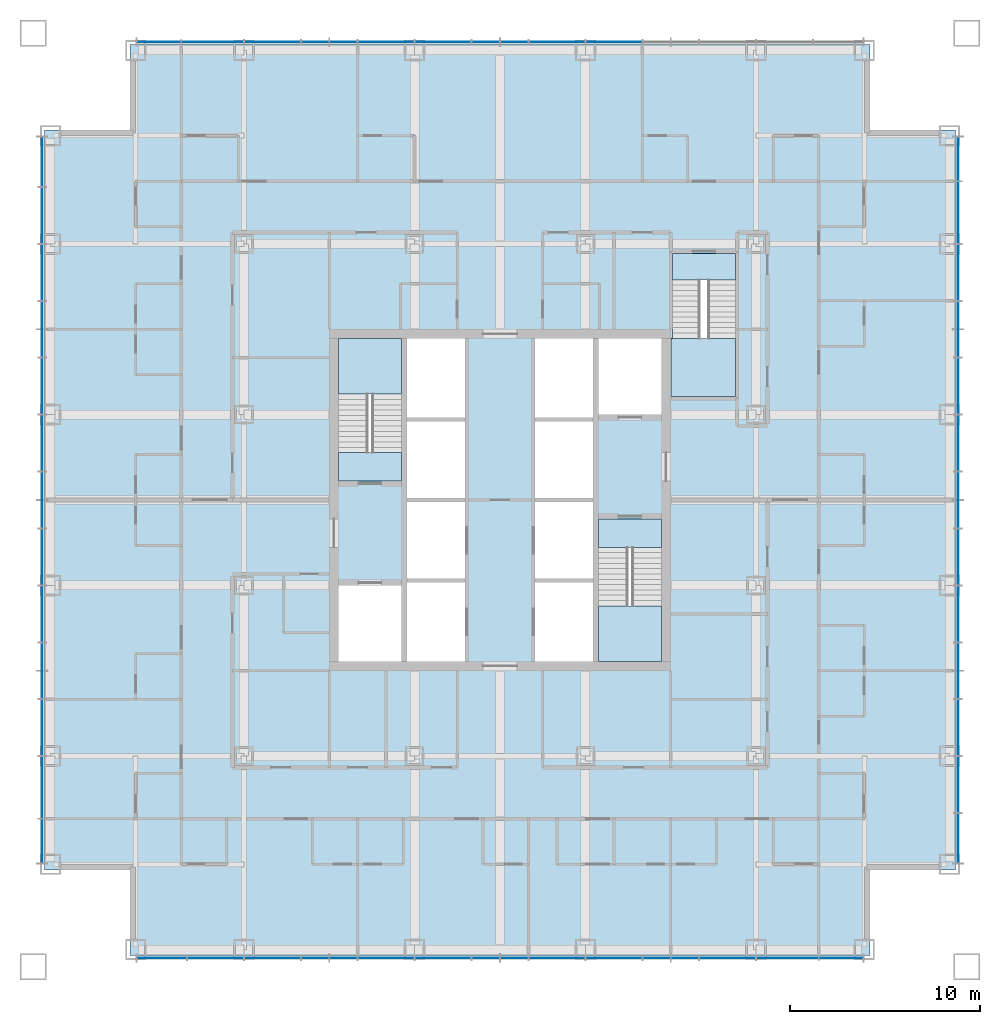
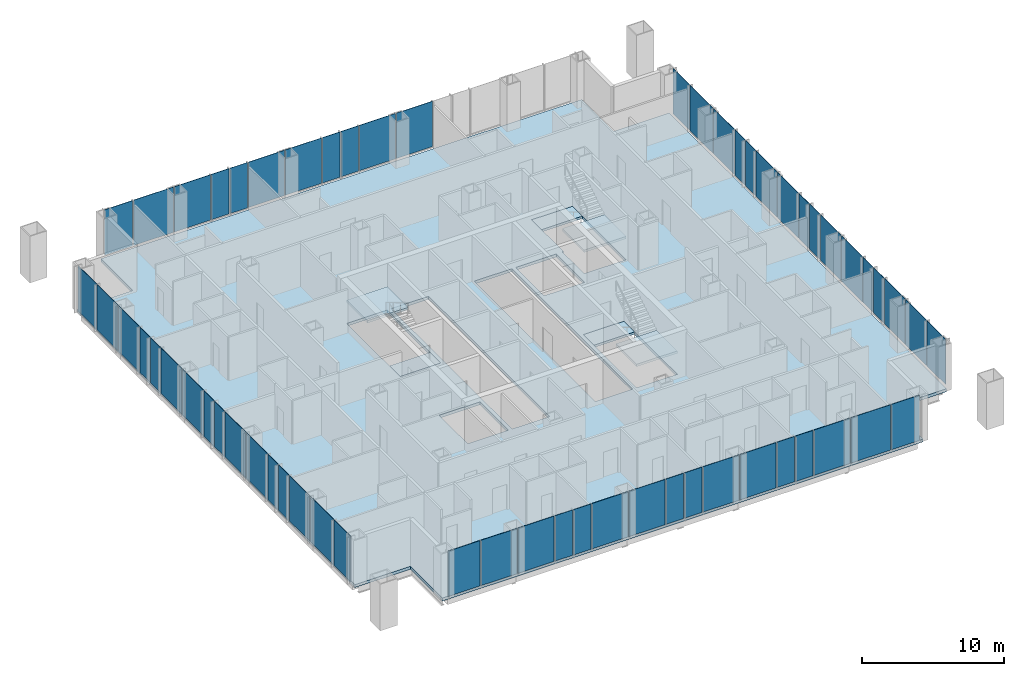
# One storey, part 6 of 12: 59 plates, 7 slabs, 7 elements without a shape of their own.
"""IFC4 building model written with IfcOpenShell, lengths in metres."""

from ifc_helpers import new_model, si_unit, direction, frame, origin, origin_2d, place, context, subcontext, project, spatial, polyline, rectangle, outline, extrude, material, layer, layer_set, type_object, element, aggregate, save


model = new_model("IFC4")

# Units and contexts
model_context = context("Model", 3, precision=1e-05, world=origin(), true_north=direction((0.0, 1.0)))
body_context = subcontext(model_context, "Body", "Model", "MODEL_VIEW")
ifc_project = project(units=[si_unit("LENGTHUNIT", "METRE"), si_unit("AREAUNIT", "SQUARE_METRE"), si_unit("VOLUMEUNIT", "CUBIC_METRE"), si_unit("PLANEANGLEUNIT", "RADIAN"), si_unit("MASSUNIT", "GRAM", prefix="KILO")], contexts=[model_context])

# Site, building, storey
site_placement = place(None, origin())
site = spatial("IfcSite", under=ifc_project, at=site_placement, CompositionType="ELEMENT")
building_placement = place(site_placement, origin())
building = spatial("IfcBuilding", under=site, at=building_placement, Name="Malebo Sky Hospital", CompositionType="ELEMENT")
storey_placement = place(building_placement, frame((0.0, 0.0, 136.0)))
storey = spatial("IfcBuildingStorey", under=building, at=storey_placement, Name="L32", CompositionType="ELEMENT", Elevation=136.0)

# Slab
ifc_material_1 = material(Name="Concrete C40/50", Category="concrete")
ifc_layer_1 = layer(ifc_material_1, 0.25)
ifc_layer_set_1 = layer_set([ifc_layer_1], Name="COMPOSITE FLOOR SLAB 250")
slab_type_1 = type_object("IfcSlabType", Name="COMPOSITE FLOOR SLAB 250", PredefinedType="FLOOR", material=ifc_layer_set_1)
slab_1_placement = place(storey_placement, frame((0.0, 0.0, -0.25)))
element("IfcSlab", 1, at=slab_1_placement, inside=storey, type_object=slab_type_1, Name="Floor slab L32", PredefinedType="FLOOR", context=body_context, shape_type="SweptSolid", body=[
    extrude(outline(polyline([(40.5, 86.0), (40.5, 81.5), (36.0, 81.5), (36.0, 42.5), (40.5, 42.5), (40.5, 38.0), (79.5, 38.0), (79.5, 42.5), (84.0, 42.5), (84.0, 81.5), (79.5, 81.5), (79.5, 86.0), (40.5, 86.0)]), holes=[polyline([(55.10009765625, 70.5), (58.14990234375, 70.5), (58.14990234375, 53.5), (55.10009765625, 53.5), (55.10009765625, 70.5)]), polyline([(64.89990234375, 70.5), (64.89990234375, 53.5), (61.85009765625, 53.5), (61.85009765625, 70.5), (64.89990234375, 70.5)]), polyline([(54.800048828125, 63.0), (51.5, 63.0), (51.5, 70.5), (54.800048828125, 70.5), (54.800048828125, 63.0)]), polyline([(51.5, 53.5), (51.5, 57.5), (54.800048828125, 57.5), (54.800048828125, 53.5), (51.5, 53.5)]), polyline([(65.199951171875, 61.0), (68.5, 61.0), (68.5, 53.5), (65.199951171875, 53.5), (65.199951171875, 61.0)]), polyline([(68.5, 70.5), (68.5, 66.5), (65.199951171875, 66.5), (65.199951171875, 70.5), (68.5, 70.5)]), polyline([(69.0, 67.449951171875), (69.0, 70.52001953125), (69.10009765625, 70.52001953125), (69.10009765625, 75.0), (72.39990234375, 75.0), (72.39990234375, 67.449951171875), (69.10009765625, 67.449951171875), (69.0, 67.449951171875)])]), origin(), (0.0, 0.0, 1.0), 0.25),
])

# Stair, slabs
stair_type_1 = type_object("IfcStairType", Name="HALF-TURN STAIR 1500 R167", PredefinedType="HALF_TURN_STAIR", material=ifc_material_1)
stair_1_placement = place(storey_placement, origin())
stair_1 = element("IfcStair", 2, at=stair_1_placement, inside=storey, type_object=stair_type_1, Name="Stair S1 L32 type ST1", PredefinedType="HALF_TURN_STAIR")
ifc_layer_2 = layer(ifc_material_1, 0.199951171875)
ifc_layer_set_2 = layer_set([ifc_layer_2], Name="STAIR LANDING 200")
slab_type_2 = type_object("IfcSlabType", Name="STAIR LANDING 200", PredefinedType="LANDING", material=ifc_layer_set_2)
slab_2_placement = place(storey_placement, frame((0.0, 0.0, -0.199951171875)))
slab_2 = element("IfcSlab", 3, at=slab_2_placement, type_object=slab_type_2, Name="S1 landing 1", PredefinedType="LANDING", context=body_context, shape_type="SweptSolid", body=[
    extrude(outline(polyline([(51.5, 63.0), (54.800048828125, 63.0), (54.800048828125, 64.5), (51.5, 64.5), (51.5, 63.0)])), origin(), (0.0, 0.0, 1.0), 0.199951171875),
])
slab_3_placement = place(storey_placement, frame((0.0, 0.0, 1.800048828125)))
slab_3 = element("IfcSlab", 4, at=slab_3_placement, type_object=slab_type_2, Name="S1 landing 2", PredefinedType="LANDING", context=body_context, shape_type="SweptSolid", body=[
    extrude(outline(polyline([(51.5, 67.580078125), (54.800048828125, 67.580078125), (54.800048828125, 70.5), (51.5, 70.5), (51.5, 67.580078125)])), origin(), (0.0, 0.0, 1.0), 0.199951171875),
])
aggregate(stair_1, [slab_2, slab_3])

stair_2_placement = place(storey_placement, origin())
stair_2 = element("IfcStair", 5, at=stair_2_placement, inside=storey, type_object=stair_type_1, Name="Stair S2 L32 type ST1", PredefinedType="HALF_TURN_STAIR")
slab_4_placement = place(storey_placement, frame((0.0, 0.0, -0.199951171875)))
slab_4 = element("IfcSlab", 6, at=slab_4_placement, type_object=slab_type_2, Name="S2 landing 1", PredefinedType="LANDING", context=body_context, shape_type="SweptSolid", body=[
    extrude(outline(polyline([(65.199951171875, 59.5), (68.5, 59.5), (68.5, 61.0), (65.199951171875, 61.0), (65.199951171875, 59.5)])), origin(), (0.0, 0.0, 1.0), 0.199951171875),
])
slab_5_placement = place(storey_placement, frame((0.0, 0.0, 1.800048828125)))
slab_5 = element("IfcSlab", 7, at=slab_5_placement, type_object=slab_type_2, Name="S2 landing 2", PredefinedType="LANDING", context=body_context, shape_type="SweptSolid", body=[
    extrude(outline(polyline([(65.199951171875, 53.5), (68.5, 53.5), (68.5, 56.419921875), (65.199951171875, 56.419921875), (65.199951171875, 53.5)])), origin(), (0.0, 0.0, 1.0), 0.199951171875),
])
aggregate(stair_2, [slab_4, slab_5])

stair_type_2 = type_object("IfcStairType", Name="HALF-TURN STAIR 1400 R167", PredefinedType="HALF_TURN_STAIR", material=ifc_material_1)
stair_3_placement = place(storey_placement, origin())
stair_3 = element("IfcStair", 8, at=stair_3_placement, inside=storey, type_object=stair_type_2, Name="Stair S3 L32 type ST1B", PredefinedType="HALF_TURN_STAIR")
slab_6_placement = place(storey_placement, frame((0.0, 0.0, -0.199951171875)))
slab_6 = element("IfcSlab", 9, at=slab_6_placement, type_object=slab_type_2, Name="S3 landing 1", PredefinedType="LANDING", context=body_context, shape_type="SweptSolid", body=[
    extrude(outline(polyline([(69.10009765625, 73.60009765625), (72.39990234375, 73.60009765625), (72.39990234375, 75.0), (69.10009765625, 75.0), (69.10009765625, 73.60009765625)])), origin(), (0.0, 0.0, 1.0), 0.199951171875),
])
slab_7_placement = place(storey_placement, frame((0.0, 0.0, 1.800048828125)))
slab_7 = element("IfcSlab", 10, at=slab_7_placement, type_object=slab_type_2, Name="S3 landing 2", PredefinedType="LANDING", context=body_context, shape_type="SweptSolid", body=[
    extrude(outline(polyline([(69.0, 67.449951171875), (72.39990234375, 67.449951171875), (72.39990234375, 70.52001953125), (69.0, 70.52001953125), (69.0, 67.449951171875)])), origin(), (0.0, 0.0, 1.0), 0.199951171875),
])
aggregate(stair_3, [slab_6, slab_7])

# Curtain wall, plates
ifc_material_2 = material(Name="Anodised aluminium, natural silver", Category="aluminium")
ifc_layer_3 = layer(ifc_material_2, 0.25)
ifc_layer_set_3 = layer_set([ifc_layer_3], Name="WARD CURTAIN WALL NORTH AND SOUTH")
curtain_wall_type_1 = type_object("IfcCurtainWallType", Name="WARD CURTAIN WALL NORTH AND SOUTH", PredefinedType="NOTDEFINED", material=ifc_layer_set_3)
curtain_wall_1_placement = place(storey_placement, origin())
curtain_wall_1 = element("IfcCurtainWall", 11, at=curtain_wall_1_placement, inside=storey, type_object=curtain_wall_type_1, Name="NS curtain wall N", PredefinedType="NOTDEFINED")
ifc_material_3 = material(Name="Clear low-iron double glazing", Category="glass")
ifc_layer_4 = layer(ifc_material_3, 0.031982421875)
ifc_layer_set_4 = layer_set([ifc_layer_4], Name="VISION PANEL CLEAR 32")
plate_type = type_object("IfcPlateType", Name="VISION PANEL CLEAR 32", PredefinedType="CURTAIN_PANEL", material=ifc_layer_set_4)
plate_1_placement = place(storey_placement, frame((42.018798828125, 86.135009765625, 0.10009765625), z_axis=(0.0, 0.0, 1.0), x_axis=(1.0, 0.0, 0.0)))
plate_1 = element("IfcPlate", 12, at=plate_1_placement, type_object=plate_type, Name="Panel 1", PredefinedType="CURTAIN_PANEL", context=body_context, shape_type="SweptSolid", body=[
    extrude(rectangle(XDim=2.28759765625, YDim=0.031982421875, at=origin_2d()), origin(), (0.0, 0.0, 1.0), 3.889892578125),
])
plate_2_placement = place(storey_placement, frame((44.85009765625, 86.135009765625, 0.10009765625), z_axis=(0.0, 0.0, 1.0), x_axis=(1.0, 0.0, 0.0)))
plate_2 = element("IfcPlate", 13, at=plate_2_placement, type_object=plate_type, Name="Panel 2", PredefinedType="CURTAIN_PANEL", context=body_context, shape_type="SweptSolid", body=[
    extrude(rectangle(XDim=3.22509765625, YDim=0.031982421875, at=origin_2d()), origin(), (0.0, 0.0, 1.0), 3.889892578125),
])
plate_3_placement = place(storey_placement, frame((48.0, 86.135009765625, 0.10009765625), z_axis=(0.0, 0.0, 1.0), x_axis=(1.0, 0.0, 0.0)))
plate_3 = element("IfcPlate", 14, at=plate_3_placement, type_object=plate_type, Name="Panel 3", PredefinedType="CURTAIN_PANEL", context=body_context, shape_type="SweptSolid", body=[
    extrude(rectangle(XDim=2.925048828125, YDim=0.031982421875, at=origin_2d()), origin(), (0.0, 0.0, 1.0), 3.889892578125),
])
plate_4_placement = place(storey_placement, frame((50.25, 86.135009765625, 0.10009765625), z_axis=(0.0, 0.0, 1.0), x_axis=(1.0, 0.0, 0.0)))
plate_4 = element("IfcPlate", 15, at=plate_4_placement, type_object=plate_type, Name="Panel 4", PredefinedType="CURTAIN_PANEL", context=body_context, shape_type="SweptSolid", body=[
    extrude(rectangle(XDim=1.425048828125, YDim=0.031982421875, at=origin_2d()), origin(), (0.0, 0.0, 1.0), 3.889892578125),
])
plate_5_placement = place(storey_placement, frame((51.75, 86.135009765625, 0.10009765625), z_axis=(0.0, 0.0, 1.0), x_axis=(1.0, 0.0, 0.0)))
plate_5 = element("IfcPlate", 16, at=plate_5_placement, type_object=plate_type, Name="Panel 5", PredefinedType="CURTAIN_PANEL", context=body_context, shape_type="SweptSolid", body=[
    extrude(rectangle(XDim=1.425048828125, YDim=0.031982421875, at=origin_2d()), origin(), (0.0, 0.0, 1.0), 3.889892578125),
])
plate_6_placement = place(storey_placement, frame((54.0, 86.135009765625, 0.10009765625), z_axis=(0.0, 0.0, 1.0), x_axis=(1.0, 0.0, 0.0)))
plate_6 = element("IfcPlate", 17, at=plate_6_placement, type_object=plate_type, Name="Panel 6", PredefinedType="CURTAIN_PANEL", context=body_context, shape_type="SweptSolid", body=[
    extrude(rectangle(XDim=2.925048828125, YDim=0.031982421875, at=origin_2d()), origin(), (0.0, 0.0, 1.0), 3.889892578125),
])
plate_7_placement = place(storey_placement, frame((57.0, 86.135009765625, 0.10009765625), z_axis=(0.0, 0.0, 1.0), x_axis=(1.0, 0.0, 0.0)))
plate_7 = element("IfcPlate", 18, at=plate_7_placement, type_object=plate_type, Name="Panel 7", PredefinedType="CURTAIN_PANEL", context=body_context, shape_type="SweptSolid", body=[
    extrude(rectangle(XDim=2.925048828125, YDim=0.031982421875, at=origin_2d()), origin(), (0.0, 0.0, 1.0), 3.889892578125),
])
plate_8_placement = place(storey_placement, frame((59.25, 86.135009765625, 0.10009765625), z_axis=(0.0, 0.0, 1.0), x_axis=(1.0, 0.0, 0.0)))
plate_8 = element("IfcPlate", 19, at=plate_8_placement, type_object=plate_type, Name="Panel 8", PredefinedType="CURTAIN_PANEL", context=body_context, shape_type="SweptSolid", body=[
    extrude(rectangle(XDim=1.425048828125, YDim=0.031982421875, at=origin_2d()), origin(), (0.0, 0.0, 1.0), 3.889892578125),
])
plate_9_placement = place(storey_placement, frame((60.75, 86.135009765625, 0.10009765625), z_axis=(0.0, 0.0, 1.0), x_axis=(1.0, 0.0, 0.0)))
plate_9 = element("IfcPlate", 20, at=plate_9_placement, type_object=plate_type, Name="Panel 9", PredefinedType="CURTAIN_PANEL", context=body_context, shape_type="SweptSolid", body=[
    extrude(rectangle(XDim=1.425048828125, YDim=0.031982421875, at=origin_2d()), origin(), (0.0, 0.0, 1.0), 3.889892578125),
])
plate_10_placement = place(storey_placement, frame((63.0, 86.135009765625, 0.10009765625), z_axis=(0.0, 0.0, 1.0), x_axis=(1.0, 0.0, 0.0)))
plate_10 = element("IfcPlate", 21, at=plate_10_placement, type_object=plate_type, Name="Panel 10", PredefinedType="CURTAIN_PANEL", context=body_context, shape_type="SweptSolid", body=[
    extrude(rectangle(XDim=2.925048828125, YDim=0.031982421875, at=origin_2d()), origin(), (0.0, 0.0, 1.0), 3.889892578125),
])
plate_11_placement = place(storey_placement, frame((66.0, 86.135009765625, 0.10009765625), z_axis=(0.0, 0.0, 1.0), x_axis=(1.0, 0.0, 0.0)))
plate_11 = element("IfcPlate", 22, at=plate_11_placement, type_object=plate_type, Name="Panel 11", PredefinedType="CURTAIN_PANEL", context=body_context, shape_type="SweptSolid", body=[
    extrude(rectangle(XDim=2.925048828125, YDim=0.031982421875, at=origin_2d()), origin(), (0.0, 0.0, 1.0), 3.889892578125),
])
aggregate(curtain_wall_1, [plate_1, plate_2, plate_3, plate_4, plate_5, plate_6, plate_7, plate_8, plate_9, plate_10, plate_11])

ifc_layer_5 = layer(ifc_material_2, 0.25)
ifc_layer_set_5 = layer_set([ifc_layer_5], Name="WARD CURTAIN WALL EAST AND WEST")
curtain_wall_type_2 = type_object("IfcCurtainWallType", Name="WARD CURTAIN WALL EAST AND WEST", PredefinedType="NOTDEFINED", material=ifc_layer_set_5)
curtain_wall_2_placement = place(storey_placement, origin())
curtain_wall_2 = element("IfcCurtainWall", 23, at=curtain_wall_2_placement, inside=storey, type_object=curtain_wall_type_2, Name="EW curtain wall W", PredefinedType="NOTDEFINED")
plate_12_placement = place(storey_placement, frame((35.864990234375, 44.018798828125, 0.10009765625), z_axis=(0.0, 0.0, 1.0), x_axis=(0.0, 1.0, 0.0)))
plate_12 = element("IfcPlate", 24, at=plate_12_placement, type_object=plate_type, Name="Panel 1", PredefinedType="CURTAIN_PANEL", context=body_context, shape_type="SweptSolid", body=[
    extrude(rectangle(XDim=2.28759765625, YDim=0.031982421875, at=origin_2d()), origin(), (0.0, 0.0, 1.0), 3.889892578125),
])
plate_13_placement = place(storey_placement, frame((35.864990234375, 46.85009765625, 0.10009765625), z_axis=(0.0, 0.0, 1.0), x_axis=(0.0, 1.0, 0.0)))
plate_13 = element("IfcPlate", 25, at=plate_13_placement, type_object=plate_type, Name="Panel 2", PredefinedType="CURTAIN_PANEL", context=body_context, shape_type="SweptSolid", body=[
    extrude(rectangle(XDim=3.22509765625, YDim=0.031982421875, at=origin_2d()), origin(), (0.0, 0.0, 1.0), 3.889892578125),
])
plate_14_placement = place(storey_placement, frame((35.864990234375, 50.0, 0.10009765625), z_axis=(0.0, 0.0, 1.0), x_axis=(0.0, 1.0, 0.0)))
plate_14 = element("IfcPlate", 26, at=plate_14_placement, type_object=plate_type, Name="Panel 3", PredefinedType="CURTAIN_PANEL", context=body_context, shape_type="SweptSolid", body=[
    extrude(rectangle(XDim=2.925048828125, YDim=0.031982421875, at=origin_2d()), origin(), (0.0, 0.0, 1.0), 3.889892578125),
])
plate_15_placement = place(storey_placement, frame((35.864990234375, 52.25, 0.10009765625), z_axis=(0.0, 0.0, 1.0), x_axis=(0.0, 1.0, 0.0)))
plate_15 = element("IfcPlate", 27, at=plate_15_placement, type_object=plate_type, Name="Panel 4", PredefinedType="CURTAIN_PANEL", context=body_context, shape_type="SweptSolid", body=[
    extrude(rectangle(XDim=1.425048828125, YDim=0.031982421875, at=origin_2d()), origin(), (0.0, 0.0, 1.0), 3.889892578125),
])
plate_16_placement = place(storey_placement, frame((35.864990234375, 53.75, 0.10009765625), z_axis=(0.0, 0.0, 1.0), x_axis=(0.0, 1.0, 0.0)))
plate_16 = element("IfcPlate", 28, at=plate_16_placement, type_object=plate_type, Name="Panel 5", PredefinedType="CURTAIN_PANEL", context=body_context, shape_type="SweptSolid", body=[
    extrude(rectangle(XDim=1.425048828125, YDim=0.031982421875, at=origin_2d()), origin(), (0.0, 0.0, 1.0), 3.889892578125),
])
plate_17_placement = place(storey_placement, frame((35.864990234375, 56.0, 0.10009765625), z_axis=(0.0, 0.0, 1.0), x_axis=(0.0, 1.0, 0.0)))
plate_17 = element("IfcPlate", 29, at=plate_17_placement, type_object=plate_type, Name="Panel 6", PredefinedType="CURTAIN_PANEL", context=body_context, shape_type="SweptSolid", body=[
    extrude(rectangle(XDim=2.925048828125, YDim=0.031982421875, at=origin_2d()), origin(), (0.0, 0.0, 1.0), 3.889892578125),
])
plate_18_placement = place(storey_placement, frame((35.864990234375, 59.0, 0.10009765625), z_axis=(0.0, 0.0, 1.0), x_axis=(0.0, 1.0, 0.0)))
plate_18 = element("IfcPlate", 30, at=plate_18_placement, type_object=plate_type, Name="Panel 7", PredefinedType="CURTAIN_PANEL", context=body_context, shape_type="SweptSolid", body=[
    extrude(rectangle(XDim=2.925048828125, YDim=0.031982421875, at=origin_2d()), origin(), (0.0, 0.0, 1.0), 3.889892578125),
])
plate_19_placement = place(storey_placement, frame((35.864990234375, 61.25, 0.10009765625), z_axis=(0.0, 0.0, 1.0), x_axis=(0.0, 1.0, 0.0)))
plate_19 = element("IfcPlate", 31, at=plate_19_placement, type_object=plate_type, Name="Panel 8", PredefinedType="CURTAIN_PANEL", context=body_context, shape_type="SweptSolid", body=[
    extrude(rectangle(XDim=1.425048828125, YDim=0.031982421875, at=origin_2d()), origin(), (0.0, 0.0, 1.0), 3.889892578125),
])
plate_20_placement = place(storey_placement, frame((35.864990234375, 62.75, 0.10009765625), z_axis=(0.0, 0.0, 1.0), x_axis=(0.0, 1.0, 0.0)))
plate_20 = element("IfcPlate", 32, at=plate_20_placement, type_object=plate_type, Name="Panel 9", PredefinedType="CURTAIN_PANEL", context=body_context, shape_type="SweptSolid", body=[
    extrude(rectangle(XDim=1.425048828125, YDim=0.031982421875, at=origin_2d()), origin(), (0.0, 0.0, 1.0), 3.889892578125),
])
plate_21_placement = place(storey_placement, frame((35.864990234375, 65.0, 0.10009765625), z_axis=(0.0, 0.0, 1.0), x_axis=(0.0, 1.0, 0.0)))
plate_21 = element("IfcPlate", 33, at=plate_21_placement, type_object=plate_type, Name="Panel 10", PredefinedType="CURTAIN_PANEL", context=body_context, shape_type="SweptSolid", body=[
    extrude(rectangle(XDim=2.925048828125, YDim=0.031982421875, at=origin_2d()), origin(), (0.0, 0.0, 1.0), 3.889892578125),
])
plate_22_placement = place(storey_placement, frame((35.864990234375, 68.0, 0.10009765625), z_axis=(0.0, 0.0, 1.0), x_axis=(0.0, 1.0, 0.0)))
plate_22 = element("IfcPlate", 34, at=plate_22_placement, type_object=plate_type, Name="Panel 11", PredefinedType="CURTAIN_PANEL", context=body_context, shape_type="SweptSolid", body=[
    extrude(rectangle(XDim=2.925048828125, YDim=0.031982421875, at=origin_2d()), origin(), (0.0, 0.0, 1.0), 3.889892578125),
])
plate_23_placement = place(storey_placement, frame((35.864990234375, 70.25, 0.10009765625), z_axis=(0.0, 0.0, 1.0), x_axis=(0.0, 1.0, 0.0)))
plate_23 = element("IfcPlate", 35, at=plate_23_placement, type_object=plate_type, Name="Panel 12", PredefinedType="CURTAIN_PANEL", context=body_context, shape_type="SweptSolid", body=[
    extrude(rectangle(XDim=1.425048828125, YDim=0.031982421875, at=origin_2d()), origin(), (0.0, 0.0, 1.0), 3.889892578125),
])
plate_24_placement = place(storey_placement, frame((35.864990234375, 71.75, 0.10009765625), z_axis=(0.0, 0.0, 1.0), x_axis=(0.0, 1.0, 0.0)))
plate_24 = element("IfcPlate", 36, at=plate_24_placement, type_object=plate_type, Name="Panel 13", PredefinedType="CURTAIN_PANEL", context=body_context, shape_type="SweptSolid", body=[
    extrude(rectangle(XDim=1.425048828125, YDim=0.031982421875, at=origin_2d()), origin(), (0.0, 0.0, 1.0), 3.889892578125),
])
plate_25_placement = place(storey_placement, frame((35.864990234375, 74.0, 0.10009765625), z_axis=(0.0, 0.0, 1.0), x_axis=(0.0, 1.0, 0.0)))
plate_25 = element("IfcPlate", 37, at=plate_25_placement, type_object=plate_type, Name="Panel 14", PredefinedType="CURTAIN_PANEL", context=body_context, shape_type="SweptSolid", body=[
    extrude(rectangle(XDim=2.925048828125, YDim=0.031982421875, at=origin_2d()), origin(), (0.0, 0.0, 1.0), 3.889892578125),
])
plate_26_placement = place(storey_placement, frame((35.864990234375, 77.0, 0.10009765625), z_axis=(0.0, 0.0, 1.0), x_axis=(0.0, 1.0, 0.0)))
plate_26 = element("IfcPlate", 38, at=plate_26_placement, type_object=plate_type, Name="Panel 15", PredefinedType="CURTAIN_PANEL", context=body_context, shape_type="SweptSolid", body=[
    extrude(rectangle(XDim=2.925048828125, YDim=0.031982421875, at=origin_2d()), origin(), (0.0, 0.0, 1.0), 3.889892578125),
])
plate_27_placement = place(storey_placement, frame((35.864990234375, 79.831298828125, 0.10009765625), z_axis=(0.0, 0.0, 1.0), x_axis=(0.0, 1.0, 0.0)))
plate_27 = element("IfcPlate", 39, at=plate_27_placement, type_object=plate_type, Name="Panel 16", PredefinedType="CURTAIN_PANEL", context=body_context, shape_type="SweptSolid", body=[
    extrude(rectangle(XDim=2.58740234375, YDim=0.031982421875, at=origin_2d()), origin(), (0.0, 0.0, 1.0), 3.889892578125),
])
aggregate(curtain_wall_2, [plate_12, plate_13, plate_14, plate_15, plate_16, plate_17, plate_18, plate_19, plate_20, plate_21, plate_22, plate_23, plate_24, plate_25, plate_26, plate_27])

curtain_wall_3_placement = place(storey_placement, origin())
curtain_wall_3 = element("IfcCurtainWall", 40, at=curtain_wall_3_placement, inside=storey, type_object=curtain_wall_type_1, Name="NS curtain wall S", PredefinedType="NOTDEFINED")
plate_28_placement = place(storey_placement, frame((77.981201171875, 37.864990234375, 0.10009765625), z_axis=(0.0, 0.0, 1.0), x_axis=(-1.0, 0.0, 0.0)))
plate_28 = element("IfcPlate", 41, at=plate_28_placement, type_object=plate_type, Name="Panel 1", PredefinedType="CURTAIN_PANEL", context=body_context, shape_type="SweptSolid", body=[
    extrude(rectangle(XDim=2.28759765625, YDim=0.031982421875, at=origin_2d()), origin(), (0.0, 0.0, 1.0), 3.889892578125),
])
plate_29_placement = place(storey_placement, frame((75.14990234375, 37.864990234375, 0.10009765625), z_axis=(0.0, 0.0, 1.0), x_axis=(-1.0, 0.0, 0.0)))
plate_29 = element("IfcPlate", 42, at=plate_29_placement, type_object=plate_type, Name="Panel 2", PredefinedType="CURTAIN_PANEL", context=body_context, shape_type="SweptSolid", body=[
    extrude(rectangle(XDim=3.22509765625, YDim=0.031982421875, at=origin_2d()), origin(), (0.0, 0.0, 1.0), 3.889892578125),
])
plate_30_placement = place(storey_placement, frame((72.0, 37.864990234375, 0.10009765625), z_axis=(0.0, 0.0, 1.0), x_axis=(-1.0, 0.0, 0.0)))
plate_30 = element("IfcPlate", 43, at=plate_30_placement, type_object=plate_type, Name="Panel 3", PredefinedType="CURTAIN_PANEL", context=body_context, shape_type="SweptSolid", body=[
    extrude(rectangle(XDim=2.925048828125, YDim=0.031982421875, at=origin_2d()), origin(), (0.0, 0.0, 1.0), 3.889892578125),
])
plate_31_placement = place(storey_placement, frame((69.75, 37.864990234375, 0.10009765625), z_axis=(0.0, 0.0, 1.0), x_axis=(-1.0, 0.0, 0.0)))
plate_31 = element("IfcPlate", 44, at=plate_31_placement, type_object=plate_type, Name="Panel 4", PredefinedType="CURTAIN_PANEL", context=body_context, shape_type="SweptSolid", body=[
    extrude(rectangle(XDim=1.425048828125, YDim=0.031982421875, at=origin_2d()), origin(), (0.0, 0.0, 1.0), 3.889892578125),
])
plate_32_placement = place(storey_placement, frame((68.25, 37.864990234375, 0.10009765625), z_axis=(0.0, 0.0, 1.0), x_axis=(-1.0, 0.0, 0.0)))
plate_32 = element("IfcPlate", 45, at=plate_32_placement, type_object=plate_type, Name="Panel 5", PredefinedType="CURTAIN_PANEL", context=body_context, shape_type="SweptSolid", body=[
    extrude(rectangle(XDim=1.425048828125, YDim=0.031982421875, at=origin_2d()), origin(), (0.0, 0.0, 1.0), 3.889892578125),
])
plate_33_placement = place(storey_placement, frame((66.0, 37.864990234375, 0.10009765625), z_axis=(0.0, 0.0, 1.0), x_axis=(-1.0, 0.0, 0.0)))
plate_33 = element("IfcPlate", 46, at=plate_33_placement, type_object=plate_type, Name="Panel 6", PredefinedType="CURTAIN_PANEL", context=body_context, shape_type="SweptSolid", body=[
    extrude(rectangle(XDim=2.925048828125, YDim=0.031982421875, at=origin_2d()), origin(), (0.0, 0.0, 1.0), 3.889892578125),
])
plate_34_placement = place(storey_placement, frame((63.0, 37.864990234375, 0.10009765625), z_axis=(0.0, 0.0, 1.0), x_axis=(-1.0, 0.0, 0.0)))
plate_34 = element("IfcPlate", 47, at=plate_34_placement, type_object=plate_type, Name="Panel 7", PredefinedType="CURTAIN_PANEL", context=body_context, shape_type="SweptSolid", body=[
    extrude(rectangle(XDim=2.925048828125, YDim=0.031982421875, at=origin_2d()), origin(), (0.0, 0.0, 1.0), 3.889892578125),
])
plate_35_placement = place(storey_placement, frame((60.75, 37.864990234375, 0.10009765625), z_axis=(0.0, 0.0, 1.0), x_axis=(-1.0, 0.0, 0.0)))
plate_35 = element("IfcPlate", 48, at=plate_35_placement, type_object=plate_type, Name="Panel 8", PredefinedType="CURTAIN_PANEL", context=body_context, shape_type="SweptSolid", body=[
    extrude(rectangle(XDim=1.425048828125, YDim=0.031982421875, at=origin_2d()), origin(), (0.0, 0.0, 1.0), 3.889892578125),
])
plate_36_placement = place(storey_placement, frame((59.25, 37.864990234375, 0.10009765625), z_axis=(0.0, 0.0, 1.0), x_axis=(-1.0, 0.0, 0.0)))
plate_36 = element("IfcPlate", 49, at=plate_36_placement, type_object=plate_type, Name="Panel 9", PredefinedType="CURTAIN_PANEL", context=body_context, shape_type="SweptSolid", body=[
    extrude(rectangle(XDim=1.425048828125, YDim=0.031982421875, at=origin_2d()), origin(), (0.0, 0.0, 1.0), 3.889892578125),
])
plate_37_placement = place(storey_placement, frame((57.0, 37.864990234375, 0.10009765625), z_axis=(0.0, 0.0, 1.0), x_axis=(-1.0, 0.0, 0.0)))
plate_37 = element("IfcPlate", 50, at=plate_37_placement, type_object=plate_type, Name="Panel 10", PredefinedType="CURTAIN_PANEL", context=body_context, shape_type="SweptSolid", body=[
    extrude(rectangle(XDim=2.925048828125, YDim=0.031982421875, at=origin_2d()), origin(), (0.0, 0.0, 1.0), 3.889892578125),
])
plate_38_placement = place(storey_placement, frame((54.0, 37.864990234375, 0.10009765625), z_axis=(0.0, 0.0, 1.0), x_axis=(-1.0, 0.0, 0.0)))
plate_38 = element("IfcPlate", 51, at=plate_38_placement, type_object=plate_type, Name="Panel 11", PredefinedType="CURTAIN_PANEL", context=body_context, shape_type="SweptSolid", body=[
    extrude(rectangle(XDim=2.925048828125, YDim=0.031982421875, at=origin_2d()), origin(), (0.0, 0.0, 1.0), 3.889892578125),
])
plate_39_placement = place(storey_placement, frame((51.75, 37.864990234375, 0.10009765625), z_axis=(0.0, 0.0, 1.0), x_axis=(-1.0, 0.0, 0.0)))
plate_39 = element("IfcPlate", 52, at=plate_39_placement, type_object=plate_type, Name="Panel 12", PredefinedType="CURTAIN_PANEL", context=body_context, shape_type="SweptSolid", body=[
    extrude(rectangle(XDim=1.425048828125, YDim=0.031982421875, at=origin_2d()), origin(), (0.0, 0.0, 1.0), 3.889892578125),
])
plate_40_placement = place(storey_placement, frame((50.25, 37.864990234375, 0.10009765625), z_axis=(0.0, 0.0, 1.0), x_axis=(-1.0, 0.0, 0.0)))
plate_40 = element("IfcPlate", 53, at=plate_40_placement, type_object=plate_type, Name="Panel 13", PredefinedType="CURTAIN_PANEL", context=body_context, shape_type="SweptSolid", body=[
    extrude(rectangle(XDim=1.425048828125, YDim=0.031982421875, at=origin_2d()), origin(), (0.0, 0.0, 1.0), 3.889892578125),
])
plate_41_placement = place(storey_placement, frame((48.0, 37.864990234375, 0.10009765625), z_axis=(0.0, 0.0, 1.0), x_axis=(-1.0, 0.0, 0.0)))
plate_41 = element("IfcPlate", 54, at=plate_41_placement, type_object=plate_type, Name="Panel 14", PredefinedType="CURTAIN_PANEL", context=body_context, shape_type="SweptSolid", body=[
    extrude(rectangle(XDim=2.925048828125, YDim=0.031982421875, at=origin_2d()), origin(), (0.0, 0.0, 1.0), 3.889892578125),
])
plate_42_placement = place(storey_placement, frame((45.0, 37.864990234375, 0.10009765625), z_axis=(0.0, 0.0, 1.0), x_axis=(-1.0, 0.0, 0.0)))
plate_42 = element("IfcPlate", 55, at=plate_42_placement, type_object=plate_type, Name="Panel 15", PredefinedType="CURTAIN_PANEL", context=body_context, shape_type="SweptSolid", body=[
    extrude(rectangle(XDim=2.925048828125, YDim=0.031982421875, at=origin_2d()), origin(), (0.0, 0.0, 1.0), 3.889892578125),
])
plate_43_placement = place(storey_placement, frame((42.168701171875, 37.864990234375, 0.10009765625), z_axis=(0.0, 0.0, 1.0), x_axis=(-1.0, 0.0, 0.0)))
plate_43 = element("IfcPlate", 56, at=plate_43_placement, type_object=plate_type, Name="Panel 16", PredefinedType="CURTAIN_PANEL", context=body_context, shape_type="SweptSolid", body=[
    extrude(rectangle(XDim=2.58740234375, YDim=0.031982421875, at=origin_2d()), origin(), (0.0, 0.0, 1.0), 3.889892578125),
])
aggregate(curtain_wall_3, [plate_28, plate_29, plate_30, plate_31, plate_32, plate_33, plate_34, plate_35, plate_36, plate_37, plate_38, plate_39, plate_40, plate_41, plate_42, plate_43])

curtain_wall_4_placement = place(storey_placement, origin())
curtain_wall_4 = element("IfcCurtainWall", 57, at=curtain_wall_4_placement, inside=storey, type_object=curtain_wall_type_2, Name="EW curtain wall E", PredefinedType="NOTDEFINED")
plate_44_placement = place(storey_placement, frame((84.135009765625, 79.981201171875, 0.10009765625), z_axis=(0.0, 0.0, 1.0), x_axis=(0.0, -1.0, 0.0)))
plate_44 = element("IfcPlate", 58, at=plate_44_placement, type_object=plate_type, Name="Panel 1", PredefinedType="CURTAIN_PANEL", context=body_context, shape_type="SweptSolid", body=[
    extrude(rectangle(XDim=2.28759765625, YDim=0.031982421875, at=origin_2d()), origin(), (0.0, 0.0, 1.0), 3.889892578125),
])
plate_45_placement = place(storey_placement, frame((84.135009765625, 77.14990234375, 0.10009765625), z_axis=(0.0, 0.0, 1.0), x_axis=(0.0, -1.0, 0.0)))
plate_45 = element("IfcPlate", 59, at=plate_45_placement, type_object=plate_type, Name="Panel 2", PredefinedType="CURTAIN_PANEL", context=body_context, shape_type="SweptSolid", body=[
    extrude(rectangle(XDim=3.22509765625, YDim=0.031982421875, at=origin_2d()), origin(), (0.0, 0.0, 1.0), 3.889892578125),
])
plate_46_placement = place(storey_placement, frame((84.135009765625, 74.0, 0.10009765625), z_axis=(0.0, 0.0, 1.0), x_axis=(0.0, -1.0, 0.0)))
plate_46 = element("IfcPlate", 60, at=plate_46_placement, type_object=plate_type, Name="Panel 3", PredefinedType="CURTAIN_PANEL", context=body_context, shape_type="SweptSolid", body=[
    extrude(rectangle(XDim=2.925048828125, YDim=0.031982421875, at=origin_2d()), origin(), (0.0, 0.0, 1.0), 3.889892578125),
])
plate_47_placement = place(storey_placement, frame((84.135009765625, 71.75, 0.10009765625), z_axis=(0.0, 0.0, 1.0), x_axis=(0.0, -1.0, 0.0)))
plate_47 = element("IfcPlate", 61, at=plate_47_placement, type_object=plate_type, Name="Panel 4", PredefinedType="CURTAIN_PANEL", context=body_context, shape_type="SweptSolid", body=[
    extrude(rectangle(XDim=1.425048828125, YDim=0.031982421875, at=origin_2d()), origin(), (0.0, 0.0, 1.0), 3.889892578125),
])
plate_48_placement = place(storey_placement, frame((84.135009765625, 70.25, 0.10009765625), z_axis=(0.0, 0.0, 1.0), x_axis=(0.0, -1.0, 0.0)))
plate_48 = element("IfcPlate", 62, at=plate_48_placement, type_object=plate_type, Name="Panel 5", PredefinedType="CURTAIN_PANEL", context=body_context, shape_type="SweptSolid", body=[
    extrude(rectangle(XDim=1.425048828125, YDim=0.031982421875, at=origin_2d()), origin(), (0.0, 0.0, 1.0), 3.889892578125),
])
plate_49_placement = place(storey_placement, frame((84.135009765625, 68.0, 0.10009765625), z_axis=(0.0, 0.0, 1.0), x_axis=(0.0, -1.0, 0.0)))
plate_49 = element("IfcPlate", 63, at=plate_49_placement, type_object=plate_type, Name="Panel 6", PredefinedType="CURTAIN_PANEL", context=body_context, shape_type="SweptSolid", body=[
    extrude(rectangle(XDim=2.925048828125, YDim=0.031982421875, at=origin_2d()), origin(), (0.0, 0.0, 1.0), 3.889892578125),
])
plate_50_placement = place(storey_placement, frame((84.135009765625, 65.0, 0.10009765625), z_axis=(0.0, 0.0, 1.0), x_axis=(0.0, -1.0, 0.0)))
plate_50 = element("IfcPlate", 64, at=plate_50_placement, type_object=plate_type, Name="Panel 7", PredefinedType="CURTAIN_PANEL", context=body_context, shape_type="SweptSolid", body=[
    extrude(rectangle(XDim=2.925048828125, YDim=0.031982421875, at=origin_2d()), origin(), (0.0, 0.0, 1.0), 3.889892578125),
])
plate_51_placement = place(storey_placement, frame((84.135009765625, 62.75, 0.10009765625), z_axis=(0.0, 0.0, 1.0), x_axis=(0.0, -1.0, 0.0)))
plate_51 = element("IfcPlate", 65, at=plate_51_placement, type_object=plate_type, Name="Panel 8", PredefinedType="CURTAIN_PANEL", context=body_context, shape_type="SweptSolid", body=[
    extrude(rectangle(XDim=1.425048828125, YDim=0.031982421875, at=origin_2d()), origin(), (0.0, 0.0, 1.0), 3.889892578125),
])
plate_52_placement = place(storey_placement, frame((84.135009765625, 61.25, 0.10009765625), z_axis=(0.0, 0.0, 1.0), x_axis=(0.0, -1.0, 0.0)))
plate_52 = element("IfcPlate", 66, at=plate_52_placement, type_object=plate_type, Name="Panel 9", PredefinedType="CURTAIN_PANEL", context=body_context, shape_type="SweptSolid", body=[
    extrude(rectangle(XDim=1.425048828125, YDim=0.031982421875, at=origin_2d()), origin(), (0.0, 0.0, 1.0), 3.889892578125),
])
plate_53_placement = place(storey_placement, frame((84.135009765625, 59.0, 0.10009765625), z_axis=(0.0, 0.0, 1.0), x_axis=(0.0, -1.0, 0.0)))
plate_53 = element("IfcPlate", 67, at=plate_53_placement, type_object=plate_type, Name="Panel 10", PredefinedType="CURTAIN_PANEL", context=body_context, shape_type="SweptSolid", body=[
    extrude(rectangle(XDim=2.925048828125, YDim=0.031982421875, at=origin_2d()), origin(), (0.0, 0.0, 1.0), 3.889892578125),
])
plate_54_placement = place(storey_placement, frame((84.135009765625, 56.0, 0.10009765625), z_axis=(0.0, 0.0, 1.0), x_axis=(0.0, -1.0, 0.0)))
plate_54 = element("IfcPlate", 68, at=plate_54_placement, type_object=plate_type, Name="Panel 11", PredefinedType="CURTAIN_PANEL", context=body_context, shape_type="SweptSolid", body=[
    extrude(rectangle(XDim=2.925048828125, YDim=0.031982421875, at=origin_2d()), origin(), (0.0, 0.0, 1.0), 3.889892578125),
])
plate_55_placement = place(storey_placement, frame((84.135009765625, 53.75, 0.10009765625), z_axis=(0.0, 0.0, 1.0), x_axis=(0.0, -1.0, 0.0)))
plate_55 = element("IfcPlate", 69, at=plate_55_placement, type_object=plate_type, Name="Panel 12", PredefinedType="CURTAIN_PANEL", context=body_context, shape_type="SweptSolid", body=[
    extrude(rectangle(XDim=1.425048828125, YDim=0.031982421875, at=origin_2d()), origin(), (0.0, 0.0, 1.0), 3.889892578125),
])
plate_56_placement = place(storey_placement, frame((84.135009765625, 52.25, 0.10009765625), z_axis=(0.0, 0.0, 1.0), x_axis=(0.0, -1.0, 0.0)))
plate_56 = element("IfcPlate", 70, at=plate_56_placement, type_object=plate_type, Name="Panel 13", PredefinedType="CURTAIN_PANEL", context=body_context, shape_type="SweptSolid", body=[
    extrude(rectangle(XDim=1.425048828125, YDim=0.031982421875, at=origin_2d()), origin(), (0.0, 0.0, 1.0), 3.889892578125),
])
plate_57_placement = place(storey_placement, frame((84.135009765625, 50.0, 0.10009765625), z_axis=(0.0, 0.0, 1.0), x_axis=(0.0, -1.0, 0.0)))
plate_57 = element("IfcPlate", 71, at=plate_57_placement, type_object=plate_type, Name="Panel 14", PredefinedType="CURTAIN_PANEL", context=body_context, shape_type="SweptSolid", body=[
    extrude(rectangle(XDim=2.925048828125, YDim=0.031982421875, at=origin_2d()), origin(), (0.0, 0.0, 1.0), 3.889892578125),
])
plate_58_placement = place(storey_placement, frame((84.135009765625, 47.0, 0.10009765625), z_axis=(0.0, 0.0, 1.0), x_axis=(0.0, -1.0, 0.0)))
plate_58 = element("IfcPlate", 72, at=plate_58_placement, type_object=plate_type, Name="Panel 15", PredefinedType="CURTAIN_PANEL", context=body_context, shape_type="SweptSolid", body=[
    extrude(rectangle(XDim=2.925048828125, YDim=0.031982421875, at=origin_2d()), origin(), (0.0, 0.0, 1.0), 3.889892578125),
])
plate_59_placement = place(storey_placement, frame((84.135009765625, 44.168701171875, 0.10009765625), z_axis=(0.0, 0.0, 1.0), x_axis=(0.0, -1.0, 0.0)))
plate_59 = element("IfcPlate", 73, at=plate_59_placement, type_object=plate_type, Name="Panel 16", PredefinedType="CURTAIN_PANEL", context=body_context, shape_type="SweptSolid", body=[
    extrude(rectangle(XDim=2.58740234375, YDim=0.031982421875, at=origin_2d()), origin(), (0.0, 0.0, 1.0), 3.889892578125),
])
aggregate(curtain_wall_4, [plate_44, plate_45, plate_46, plate_47, plate_48, plate_49, plate_50, plate_51, plate_52, plate_53, plate_54, plate_55, plate_56, plate_57, plate_58, plate_59])

save(model, "model.ifc")
